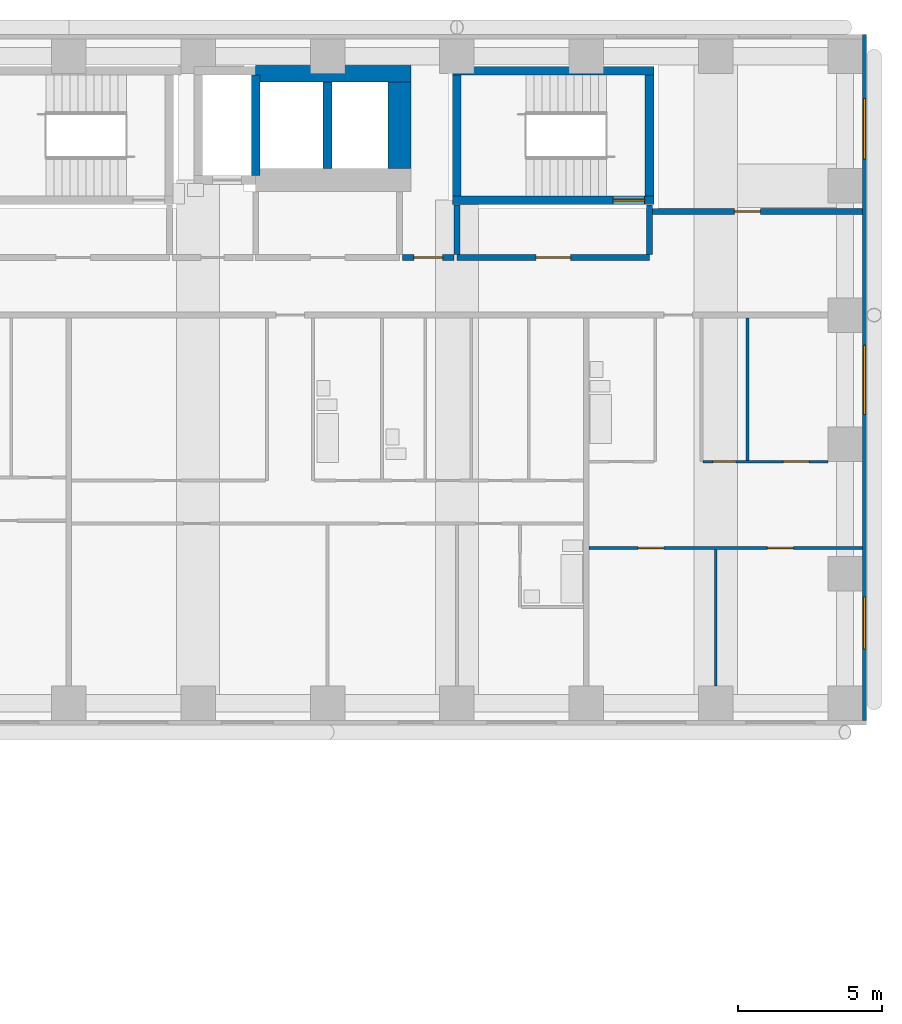
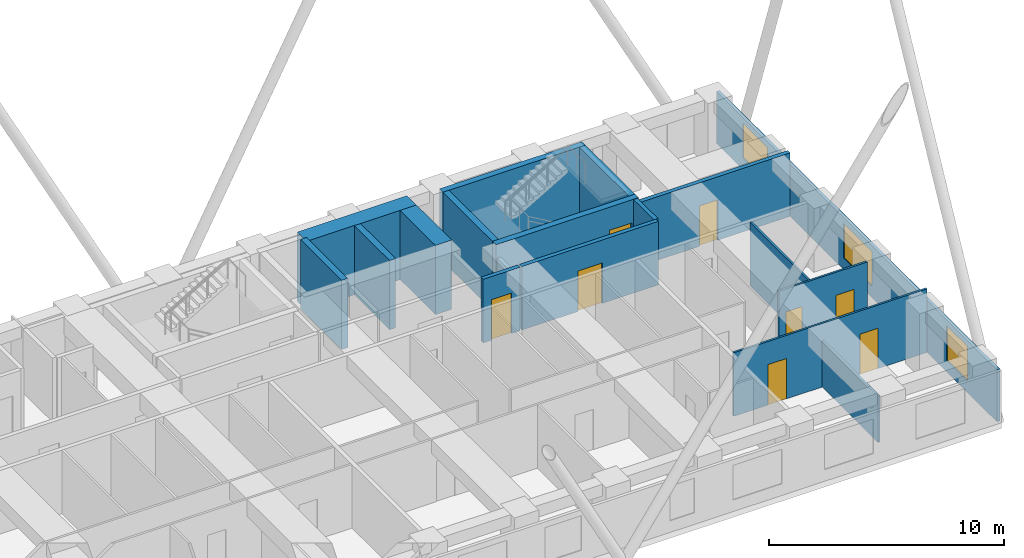
# One storey, part 9 of 12: 18 walls, 8 doors, 3 windows, 11 openings.
"""IFC4 building model written with IfcOpenShell, lengths in metres."""

from ifc_helpers import new_model, si_unit, direction, frame, frame_2d, origin, place, context, subcontext, project, spatial, rectangle, extrude, material, layer, layer_set, type_object, element, fill, save


model = new_model("IFC4")

# Units and contexts
model_context = context("Model", 3, precision=1e-05, world=origin(), true_north=direction((0.0, 1.0)))
body_context = subcontext(model_context, "Body", "Model", "MODEL_VIEW")
ifc_project = project(units=[si_unit("LENGTHUNIT", "METRE"), si_unit("AREAUNIT", "SQUARE_METRE"), si_unit("VOLUMEUNIT", "CUBIC_METRE"), si_unit("PLANEANGLEUNIT", "RADIAN"), si_unit("MASSUNIT", "GRAM", prefix="KILO")], contexts=[model_context])

# Site, building, storey
site_placement = place(None, origin())
site = spatial("IfcSite", under=ifc_project, at=site_placement, CompositionType="ELEMENT")
building_placement = place(site_placement, origin())
building = spatial("IfcBuilding", under=site, at=building_placement, Name="Firuza Court", CompositionType="ELEMENT")
storey_placement = place(building_placement, frame((0.0, 0.0, 93.800048828125)))
storey = spatial("IfcBuildingStorey", under=building, at=storey_placement, Name="L23", CompositionType="ELEMENT", Elevation=93.800048828125)

# Walls
ifc_material_1 = material(Name="Concrete C60/75", Category="concrete")
ifc_layer_1 = layer(ifc_material_1, 0.300048828125)
ifc_layer_set_1 = layer_set([ifc_layer_1], Name="Concrete C60/75")
wall_type_1 = type_object("IfcWallType", Name="Core wall 300 C60/75", PredefinedType="SHEAR", material=ifc_layer_set_1)
wall_1_placement = place(storey_placement, frame((47.0, 54.35009765625, -0.300048828125), z_axis=(0.0, 0.0, 1.0), x_axis=(0.0, 1.0, 0.0)))
element("IfcWall", 1, at=wall_1_placement, inside=storey, type_object=wall_type_1, Name="Core wall lift shaft L23", PredefinedType="SHEAR", context=body_context, shape_type="SweptSolid", body=[
    extrude(rectangle(XDim=3.5, YDim=0.300048828125, at=frame_2d((1.75, 0.0))), origin(), (0.0, 0.0, 1.0), 3.60009765625),
])
wall_2_placement = place(storey_placement, frame((49.5, 54.60009765625, -0.300048828125), z_axis=(0.0, 0.0, 1.0), x_axis=(0.0, 1.0, 0.0)))
element("IfcWall", 2, at=wall_2_placement, inside=storey, type_object=wall_type_1, Name="Core wall lift shaft L23", PredefinedType="SHEAR", context=body_context, shape_type="SweptSolid", body=[
    extrude(rectangle(XDim=3.0, YDim=0.300048828125, at=frame_2d((1.5, 0.0))), origin(), (0.0, 0.0, 1.0), 3.60009765625),
])

# Wall, opening, door
wall_3_placement = place(storey_placement, frame((53.85009765625, 53.5, -0.300048828125), z_axis=(0.0, 0.0, 1.0), x_axis=(1.0, 0.0, 0.0)))
wall_3 = element("IfcWall", 3, at=wall_3_placement, inside=storey, type_object=wall_type_1, Name="Core wall stair L23", PredefinedType="SHEAR", context=body_context, shape_type="SweptSolid", body=[
    extrude(rectangle(XDim=7.0, YDim=0.300048828125, at=frame_2d((3.5, 0.0))), origin(), (0.0, 0.0, 1.0), 3.60009765625),
])
opening_1_placement = place(wall_3_placement, frame((5.580078125, 0.0, 0.300048828125)))
opening_1 = element("IfcOpeningElement", 4, at=opening_1_placement, cuts=wall_3, Name="Opening D23017", PredefinedType="OPENING", context=body_context, shape_type="SweptSolid", body=[
    extrude(rectangle(XDim=1.10009765625, YDim=2.10009765625, at=frame_2d((0.550048828125, 1.050048828125))), frame((0.0, 0.162109375, 0.0), z_axis=(0.0, -1.0, 0.0), x_axis=(1.0, 0.0, 0.0)), (0.0, 0.0, 1.0), 0.323974609375),
])
ifc_material_2 = material(Name="Timber door leaf in hardwood frame", Category="wood")
door_type_1 = type_object("IfcDoorType", Name="Stair door 1100", OperationType="SINGLE_SWING_LEFT", PredefinedType="DOOR", material=ifc_material_2)
door_1_placement = place(opening_1_placement, origin())
door_1 = element("IfcDoor", 5, at=door_1_placement, inside=storey, type_object=door_type_1, Name="Stair door S4", OperationType="SINGLE_SWING_RIGHT", OverallHeight=2.10009765625, OverallWidth=1.10009765625, PredefinedType="DOOR", context=body_context, shape_type="SweptSolid", body=[
    extrude(rectangle(XDim=1.10009765625, YDim=2.10009765625, at=frame_2d((0.550048828125, 1.050048828125))), frame((0.0, 0.02490234375, 0.0), z_axis=(0.0, -1.0, 0.0), x_axis=(1.0, 0.0, 0.0)), (0.0, 0.0, 1.0), 0.050048828125),
])
fill(opening_1, door_1)

# Walls
wall_4_placement = place(storey_placement, frame((53.85009765625, 58.0, -0.300048828125), z_axis=(0.0, 0.0, 1.0), x_axis=(1.0, 0.0, 0.0)))
element("IfcWall", 6, at=wall_4_placement, inside=storey, type_object=wall_type_1, Name="Core wall stair L23", PredefinedType="SHEAR", context=body_context, shape_type="SweptSolid", body=[
    extrude(rectangle(XDim=7.0, YDim=0.300048828125, at=frame_2d((3.5, 0.0))), origin(), (0.0, 0.0, 1.0), 3.60009765625),
])
for number, where, z_axis, x_axis, name in (
    (7, (54.0, 53.64990234375, -0.300048828125), (0.0, 0.0, 1.0), (0.0, 1.0, 0.0), "Core wall stair L23"),
    (8, (60.699951171875, 53.64990234375, -0.300048828125), (0.0, 0.0, 1.0), (0.0, 1.0, 0.0), "Core wall stair L23"),
):
    element("IfcWall", number, at=place(storey_placement, frame(where, z_axis=z_axis, x_axis=x_axis)), inside=storey, type_object=wall_type_1, Name=name, PredefinedType="SHEAR", context=body_context, shape_type="SweptSolid", body=[
        extrude(rectangle(XDim=4.2001953125, YDim=0.300048828125, at=frame_2d((2.10009765625, 0.0))), origin(), (0.0, 0.0, 1.0), 3.60009765625),
    ])
ifc_layer_2 = layer(ifc_material_1, 0.800048828125)
ifc_layer_set_2 = layer_set([ifc_layer_2], Name="Concrete C60/75")
wall_type_2 = type_object("IfcWallType", Name="Core wall 800 C60/75", PredefinedType="SHEAR", material=ifc_layer_set_2)
wall_5_placement = place(storey_placement, frame((47.0, 58.0, -0.300048828125), z_axis=(0.0, 0.0, 1.0), x_axis=(1.0, 0.0, 0.0)))
element("IfcWall", 9, at=wall_5_placement, inside=storey, type_object=wall_type_2, Name="Core wall lift shaft L23", PredefinedType="SHEAR", context=body_context, shape_type="SweptSolid", body=[
    extrude(rectangle(XDim=5.39990234375, YDim=0.800048828125, at=frame_2d((2.699951171875, 0.0))), origin(), (0.0, 0.0, 1.0), 3.60009765625),
])
wall_6_placement = place(storey_placement, frame((52.0, 54.60009765625, -0.300048828125), z_axis=(0.0, 0.0, 1.0), x_axis=(0.0, 1.0, 0.0)))
element("IfcWall", 10, at=wall_6_placement, inside=storey, type_object=wall_type_2, Name="Core wall lift shaft L23", PredefinedType="SHEAR", context=body_context, shape_type="SweptSolid", body=[
    extrude(rectangle(XDim=3.0, YDim=0.800048828125, at=frame_2d((1.5, 0.0))), origin(), (0.0, 0.0, 1.0), 3.60009765625),
])

# Wall, opening, door
ifc_material_3 = material(Name="Blockwork, plastered both sides", Category="masonry")
ifc_layer_3 = layer(ifc_material_3, 0.199951171875)
ifc_layer_set_3 = layer_set([ifc_layer_3], Name="Blockwork, plastered both sides")
wall_type_3 = type_object("IfcWallType", Name="Corridor wall 200", PredefinedType="PARTITIONING", material=ifc_layer_set_3)
wall_7_placement = place(storey_placement, frame((52.10009765625, 51.5, 0.0), z_axis=(0.0, 0.0, 1.0), x_axis=(1.0, 0.0, 0.0)))
wall_7 = element("IfcWall", 11, at=wall_7_placement, inside=storey, type_object=wall_type_3, Name="Corridor wall 200 L23", PredefinedType="PARTITIONING", context=body_context, shape_type="SweptSolid", body=[
    extrude(rectangle(XDim=1.7998046875, YDim=0.199951171875, at=frame_2d((0.89990234375, 0.0))), origin(), (0.0, 0.0, 1.0), 3.300048828125),
])
opening_2_placement = place(wall_7_placement, frame((0.39990234375, 0.0, 0.0)))
opening_2 = element("IfcOpeningElement", 12, at=opening_2_placement, cuts=wall_7, Name="Opening D23074", PredefinedType="OPENING", context=body_context, shape_type="SweptSolid", body=[
    extrude(rectangle(XDim=1.0, YDim=2.10009765625, at=frame_2d((0.5, 1.050048828125))), frame((0.0, 0.11181640625, 0.0), z_axis=(0.0, -1.0, 0.0), x_axis=(1.0, 0.0, 0.0)), (0.0, 0.0, 1.0), 0.223876953125),
])
ifc_material_4 = material(Name="Timber door leaf in hardwood frame", Category="wood")
door_type_2 = type_object("IfcDoorType", Name="Store door 1000", OperationType="SINGLE_SWING_LEFT", PredefinedType="DOOR", material=ifc_material_4)
door_2_placement = place(opening_2_placement, origin())
door_2 = element("IfcDoor", 13, at=door_2_placement, inside=storey, type_object=door_type_2, Name="Cleaner's store door", OperationType="SINGLE_SWING_LEFT", OverallHeight=2.10009765625, OverallWidth=1.0, PredefinedType="DOOR", context=body_context, shape_type="SweptSolid", body=[
    extrude(rectangle(XDim=1.0, YDim=2.10009765625, at=frame_2d((0.5, 1.050048828125))), frame((0.0, 0.02490234375, 0.0), z_axis=(0.0, -1.0, 0.0), x_axis=(1.0, 0.0, 0.0)), (0.0, 0.0, 1.0), 0.050048828125),
])
fill(opening_2, door_2)

wall_8_placement = place(storey_placement, frame((60.800048828125, 53.10009765625, 0.0), z_axis=(0.0, 0.0, 1.0), x_axis=(1.0, 0.0, 0.0)))
wall_8 = element("IfcWall", 14, at=wall_8_placement, inside=storey, type_object=wall_type_3, Name="Corridor wall 200 L23", PredefinedType="PARTITIONING", context=body_context, shape_type="SweptSolid", body=[
    extrude(rectangle(XDim=7.300048828125, YDim=0.199951171875, at=frame_2d((3.64990234375, 0.0))), origin(), (0.0, 0.0, 1.0), 3.300048828125),
])
opening_3_placement = place(wall_8_placement, frame((2.85009765625, 0.0, 0.0)))
opening_3 = element("IfcOpeningElement", 15, at=opening_3_placement, cuts=wall_8, Name="Opening D23075", PredefinedType="OPENING", context=body_context, shape_type="SweptSolid", body=[
    extrude(rectangle(XDim=0.89990234375, YDim=2.10009765625, at=frame_2d((0.449951171875, 1.050048828125))), frame((0.0, 0.11181640625, 0.0), z_axis=(0.0, -1.0, 0.0), x_axis=(1.0, 0.0, 0.0)), (0.0, 0.0, 1.0), 0.223876953125),
])
ifc_material_5 = material(Name="Timber door leaf in hardwood frame", Category="wood")
door_type_3 = type_object("IfcDoorType", Name="Room door 900 EI 30", OperationType="SINGLE_SWING_LEFT", PredefinedType="DOOR", material=ifc_material_5)
door_3_placement = place(opening_3_placement, origin())
door_3 = element("IfcDoor", 16, at=door_3_placement, inside=storey, type_object=door_type_3, Name="Meeting room door", OperationType="SINGLE_SWING_LEFT", OverallHeight=2.10009765625, OverallWidth=0.89990234375, PredefinedType="DOOR", context=body_context, shape_type="SweptSolid", body=[
    extrude(rectangle(XDim=0.89990234375, YDim=2.10009765625, at=frame_2d((0.449951171875, 1.050048828125))), frame((0.0, 0.02490234375, 0.0), z_axis=(0.0, -1.0, 0.0), x_axis=(1.0, 0.0, 0.0)), (0.0, 0.0, 1.0), 0.050048828125),
])
fill(opening_3, door_3)

# Wall
ifc_material_6 = material(Name="Timber stud partition, plasterboard both sides", Category="wood")
ifc_layer_4 = layer(ifc_material_6, 0.10009765625)
ifc_layer_set_4 = layer_set([ifc_layer_4], Name="Timber stud partition, plasterboard both sides")
wall_type_4 = type_object("IfcWallType", Name="Partition wall 100", PredefinedType="PARTITIONING", material=ifc_layer_set_4)
wall_9_placement = place(storey_placement, frame((63.0, 36.60009765625, 0.0), z_axis=(0.0, 0.0, 1.0), x_axis=(0.0, 1.0, 0.0)))
element("IfcWall", 17, at=wall_9_placement, inside=storey, type_object=wall_type_4, Name="Partition wall 100 L23", PredefinedType="PARTITIONING", context=body_context, shape_type="SweptSolid", body=[
    extrude(rectangle(XDim=4.75, YDim=0.10009765625, at=frame_2d((2.375, 0.0))), origin(), (0.0, 0.0, 1.0), 2.39990234375),
])

# Wall, openings, doors
wall_10_placement = place(storey_placement, frame((58.60009765625, 41.39990234375, 0.0), z_axis=(0.0, 0.0, 1.0), x_axis=(1.0, 0.0, 0.0)))
wall_10 = element("IfcWall", 18, at=wall_10_placement, inside=storey, type_object=wall_type_4, Name="Partition wall 100 L23", PredefinedType="PARTITIONING", context=body_context, shape_type="SweptSolid", body=[
    extrude(rectangle(XDim=9.5, YDim=0.10009765625, at=frame_2d((4.75, 0.0))), origin(), (0.0, 0.0, 1.0), 3.300048828125),
])
opening_4_placement = place(wall_10_placement, frame((1.699951171875, 0.0, 0.0)))
opening_4 = element("IfcOpeningElement", 19, at=opening_4_placement, cuts=wall_10, Name="Opening D23042", PredefinedType="OPENING", context=body_context, shape_type="SweptSolid", body=[
    extrude(rectangle(XDim=0.89990234375, YDim=2.10009765625, at=frame_2d((0.449951171875, 1.050048828125))), frame((0.0, 0.06201171875, 0.0), z_axis=(0.0, -1.0, 0.0), x_axis=(1.0, 0.0, 0.0)), (0.0, 0.0, 1.0), 0.1240234375),
])
opening_5_placement = place(wall_10_placement, frame((6.199951171875, 0.0, 0.0)))
opening_5 = element("IfcOpeningElement", 20, at=opening_5_placement, cuts=wall_10, Name="Opening D23043", PredefinedType="OPENING", context=body_context, shape_type="SweptSolid", body=[
    extrude(rectangle(XDim=0.89990234375, YDim=2.10009765625, at=frame_2d((0.449951171875, 1.050048828125))), frame((0.0, 0.06201171875, 0.0), z_axis=(0.0, -1.0, 0.0), x_axis=(1.0, 0.0, 0.0)), (0.0, 0.0, 1.0), 0.1240234375),
])
ifc_material_7 = material(Name="Timber door leaf in hardwood frame", Category="wood")
door_type_4 = type_object("IfcDoorType", Name="Room door 900", OperationType="SINGLE_SWING_LEFT", PredefinedType="DOOR", material=ifc_material_7)
door_4_placement = place(opening_4_placement, frame((0.89990234375, 0.0, 0.0), z_axis=(0.0, 0.0, 1.0), x_axis=(-1.0, 0.0, 0.0)))
door_4 = element("IfcDoor", 21, at=door_4_placement, inside=storey, type_object=door_type_4, Name="Bedroom door", OperationType="SINGLE_SWING_RIGHT", OverallHeight=2.10009765625, OverallWidth=0.89990234375, PredefinedType="DOOR", context=body_context, shape_type="SweptSolid", body=[
    extrude(rectangle(XDim=0.89990234375, YDim=2.10009765625, at=frame_2d((0.449951171875, 1.050048828125))), frame((0.0, 0.02490234375, 0.0), z_axis=(0.0, -1.0, 0.0), x_axis=(1.0, 0.0, 0.0)), (0.0, 0.0, 1.0), 0.050048828125),
])
fill(opening_4, door_4)
door_5_placement = place(opening_5_placement, frame((0.89990234375, 0.0, 0.0), z_axis=(0.0, 0.0, 1.0), x_axis=(-1.0, 0.0, 0.0)))
door_5 = element("IfcDoor", 22, at=door_5_placement, inside=storey, type_object=door_type_4, Name="Living room door", OperationType="SINGLE_SWING_RIGHT", OverallHeight=2.10009765625, OverallWidth=0.89990234375, PredefinedType="DOOR", context=body_context, shape_type="SweptSolid", body=[
    extrude(rectangle(XDim=0.89990234375, YDim=2.10009765625, at=frame_2d((0.449951171875, 1.050048828125))), frame((0.0, 0.02490234375, 0.0), z_axis=(0.0, -1.0, 0.0), x_axis=(1.0, 0.0, 0.0)), (0.0, 0.0, 1.0), 0.050048828125),
])
fill(opening_5, door_5)

wall_11_placement = place(storey_placement, frame((62.550048828125, 44.39990234375, 0.0), z_axis=(0.0, 0.0, 1.0), x_axis=(1.0, 0.0, 0.0)))
wall_11 = element("IfcWall", 23, at=wall_11_placement, inside=storey, type_object=wall_type_4, Name="Partition wall 100 L23", PredefinedType="PARTITIONING", context=body_context, shape_type="SweptSolid", body=[
    extrude(rectangle(XDim=4.349853515625, YDim=0.10009765625, at=frame_2d((2.1748046875, 0.0))), origin(), (0.0, 0.0, 1.0), 3.300048828125),
])
opening_6_placement = place(wall_11_placement, frame((2.800048828125, 0.0, 0.0)))
opening_6 = element("IfcOpeningElement", 24, at=opening_6_placement, cuts=wall_11, Name="Opening D23064", PredefinedType="OPENING", context=body_context, shape_type="SweptSolid", body=[
    extrude(rectangle(XDim=0.89990234375, YDim=2.10009765625, at=frame_2d((0.449951171875, 1.050048828125))), frame((0.0, 0.06201171875, 0.0), z_axis=(0.0, -1.0, 0.0), x_axis=(1.0, 0.0, 0.0)), (0.0, 0.0, 1.0), 0.1240234375),
])
opening_7_placement = place(wall_11_placement, frame((0.35009765625, 0.0, 0.0)))
opening_7 = element("IfcOpeningElement", 25, at=opening_7_placement, cuts=wall_11, Name="Opening D23065", PredefinedType="OPENING", context=body_context, shape_type="SweptSolid", body=[
    extrude(rectangle(XDim=0.800048828125, YDim=2.10009765625, at=frame_2d((0.39990234375, 1.050048828125))), frame((0.0, 0.06201171875, 0.0), z_axis=(0.0, -1.0, 0.0), x_axis=(1.0, 0.0, 0.0)), (0.0, 0.0, 1.0), 0.1240234375),
])
ifc_material_8 = material(Name="Timber door leaf in hardwood frame", Category="wood")
door_type_5 = type_object("IfcDoorType", Name="Room door 800", OperationType="SINGLE_SWING_LEFT", PredefinedType="DOOR", material=ifc_material_8)
door_6_placement = place(opening_7_placement, origin())
door_6 = element("IfcDoor", 26, at=door_6_placement, inside=storey, type_object=door_type_5, Name="Store door", OperationType="SINGLE_SWING_LEFT", OverallHeight=2.10009765625, OverallWidth=0.800048828125, PredefinedType="DOOR", context=body_context, shape_type="SweptSolid", body=[
    extrude(rectangle(XDim=0.800048828125, YDim=2.10009765625, at=frame_2d((0.39990234375, 1.050048828125))), frame((0.0, 0.02490234375, 0.0), z_axis=(0.0, -1.0, 0.0), x_axis=(1.0, 0.0, 0.0)), (0.0, 0.0, 1.0), 0.050048828125),
])
fill(opening_7, door_6)
door_7_placement = place(opening_6_placement, origin())
door_7 = element("IfcDoor", 27, at=door_7_placement, inside=storey, type_object=door_type_4, Name="Kitchen door", OperationType="SINGLE_SWING_RIGHT", OverallHeight=2.10009765625, OverallWidth=0.89990234375, PredefinedType="DOOR", context=body_context, shape_type="SweptSolid", body=[
    extrude(rectangle(XDim=0.89990234375, YDim=2.10009765625, at=frame_2d((0.449951171875, 1.050048828125))), frame((0.0, 0.02490234375, 0.0), z_axis=(0.0, -1.0, 0.0), x_axis=(1.0, 0.0, 0.0)), (0.0, 0.0, 1.0), 0.050048828125),
])
fill(opening_6, door_7)

# Wall
wall_12_placement = place(storey_placement, frame((64.10009765625, 44.449951171875, 0.0), z_axis=(0.0, 0.0, 1.0), x_axis=(0.0, 1.0, 0.0)))
element("IfcWall", 28, at=wall_12_placement, inside=storey, type_object=wall_type_4, Name="Partition wall 100 L23", PredefinedType="PARTITIONING", context=body_context, shape_type="SweptSolid", body=[
    extrude(rectangle(XDim=4.949951171875, YDim=0.10009765625, at=frame_2d((2.47509765625, 0.0))), origin(), (0.0, 0.0, 1.0), 3.300048828125),
])

# Wall, openings, windows
ifc_material_9 = material(Name="Ceramic tile", Category="ceramic")
ifc_layer_5 = layer(ifc_material_9, 0.02001953125)
ifc_material_10 = material(Name="Mineral wool insulation", Category="insulation")
ifc_layer_6 = layer(ifc_material_10, 0.050048828125)
ifc_material_11 = material(Name="Concrete C40/50 precast", Category="concrete")
ifc_layer_7 = layer(ifc_material_11, 0.080078125)
ifc_layer_set_5 = layer_set([ifc_layer_5, ifc_layer_6, ifc_layer_7], Name="Concrete C40/50 precast")
wall_type_5 = type_object("IfcWallType", Name="Precast cladding wall with turquoise TILE PANEL face 150", PredefinedType="STANDARD", material=ifc_layer_set_5)
wall_13_placement = place(storey_placement, frame((68.175048828125, 35.39990234375, 0.0), z_axis=(0.0, 0.0, 1.0), x_axis=(0.0, 1.0, 0.0)))
wall_13 = element("IfcWall", 29, at=wall_13_placement, inside=storey, type_object=wall_type_5, Name="Facade wall L23 E", PredefinedType="STANDARD", context=body_context, shape_type="SweptSolid", body=[
    extrude(rectangle(XDim=23.85009765625, YDim=0.14990234375, at=frame_2d((11.925048828125, 0.0))), origin(), (0.0, 0.0, 1.0), 2.699951171875),
])
opening_8_placement = place(wall_13_placement, frame((2.489990234375, 0.0, 0.60009765625)))
opening_8 = element("IfcOpeningElement", 30, at=opening_8_placement, cuts=wall_13, Name="Opening W7", PredefinedType="OPENING", context=body_context, shape_type="SweptSolid", body=[
    extrude(rectangle(XDim=1.800048828125, YDim=1.800048828125, at=frame_2d((0.89990234375, 0.89990234375))), frame((0.0, 0.0869140625, 0.0), z_axis=(0.0, -1.0, 0.0), x_axis=(1.0, 0.0, 0.0)), (0.0, 0.0, 1.0), 0.173828125),
])
opening_9_placement = place(wall_13_placement, frame((10.64990234375, 0.0, 0.60009765625)))
opening_9 = element("IfcOpeningElement", 31, at=opening_9_placement, cuts=wall_13, Name="Opening W1", PredefinedType="OPENING", context=body_context, shape_type="SweptSolid", body=[
    extrude(rectangle(XDim=2.39990234375, YDim=1.800048828125, at=frame_2d((1.199951171875, 0.89990234375))), frame((0.0, 0.0869140625, 0.0), z_axis=(0.0, -1.0, 0.0), x_axis=(1.0, 0.0, 0.0)), (0.0, 0.0, 1.0), 0.173828125),
])
opening_10_placement = place(wall_13_placement, frame((19.52587890625, 0.0, 0.60009765625)))
opening_10 = element("IfcOpeningElement", 32, at=opening_10_placement, cuts=wall_13, Name="Opening W6", PredefinedType="OPENING", context=body_context, shape_type="SweptSolid", body=[
    extrude(rectangle(XDim=2.10009765625, YDim=1.800048828125, at=frame_2d((1.050048828125, 0.89990234375))), frame((0.0, 0.0869140625, 0.0), z_axis=(0.0, -1.0, 0.0), x_axis=(1.0, 0.0, 0.0)), (0.0, 0.0, 1.0), 0.173828125),
])
ifc_material_12 = material(Name="Aluminium frame, triple clear glazing", Category="aluminium")
window_type_1 = type_object("IfcWindowType", Name="Window W1 2400 x 1800", PartitioningType="SINGLE_PANEL", PredefinedType="WINDOW", material=ifc_material_12)
window_1_placement = place(opening_9_placement, origin())
window_1 = element("IfcWindow", 33, at=window_1_placement, inside=storey, type_object=window_type_1, Name="Window L23", OverallHeight=1.800048828125, OverallWidth=2.39990234375, PartitioningType="SINGLE_PANEL", PredefinedType="WINDOW", context=body_context, shape_type="SweptSolid", body=[
    extrude(rectangle(XDim=2.39990234375, YDim=1.800048828125, at=frame_2d((1.199951171875, 0.89990234375))), frame((0.0, 0.030029296875, 0.0), z_axis=(0.0, -1.0, 0.0), x_axis=(1.0, 0.0, 0.0)), (0.0, 0.0, 1.0), 0.06005859375),
])
fill(opening_9, window_1)
ifc_material_13 = material(Name="Aluminium frame, triple clear glazing", Category="aluminium")
window_type_2 = type_object("IfcWindowType", Name="Window W6 2100 x 1800", PartitioningType="SINGLE_PANEL", PredefinedType="WINDOW", material=ifc_material_13)
window_2_placement = place(opening_10_placement, origin())
window_2 = element("IfcWindow", 34, at=window_2_placement, inside=storey, type_object=window_type_2, Name="Window L23", OverallHeight=1.800048828125, OverallWidth=2.10009765625, PartitioningType="SINGLE_PANEL", PredefinedType="WINDOW", context=body_context, shape_type="SweptSolid", body=[
    extrude(rectangle(XDim=2.10009765625, YDim=1.800048828125, at=frame_2d((1.050048828125, 0.89990234375))), frame((0.0, 0.030029296875, 0.0), z_axis=(0.0, -1.0, 0.0), x_axis=(1.0, 0.0, 0.0)), (0.0, 0.0, 1.0), 0.06005859375),
])
fill(opening_10, window_2)
ifc_material_14 = material(Name="Aluminium frame, triple clear glazing", Category="aluminium")
window_type_3 = type_object("IfcWindowType", Name="Window W7 1800 x 1800", PartitioningType="SINGLE_PANEL", PredefinedType="WINDOW", material=ifc_material_14)
window_3_placement = place(opening_8_placement, origin())
window_3 = element("IfcWindow", 35, at=window_3_placement, inside=storey, type_object=window_type_3, Name="Window L23", OverallHeight=1.800048828125, OverallWidth=1.800048828125, PartitioningType="SINGLE_PANEL", PredefinedType="WINDOW", context=body_context, shape_type="SweptSolid", body=[
    extrude(rectangle(XDim=1.800048828125, YDim=1.800048828125, at=frame_2d((0.89990234375, 0.89990234375))), frame((0.0, 0.030029296875, 0.0), z_axis=(0.0, -1.0, 0.0), x_axis=(1.0, 0.0, 0.0)), (0.0, 0.0, 1.0), 0.06005859375),
])
fill(opening_8, window_3)

# Wall, opening, door
ifc_material_15 = material(Name="Blockwork, fire-rated", Category="masonry")
ifc_layer_8 = layer(ifc_material_15, 0.199951171875)
ifc_layer_set_6 = layer_set([ifc_layer_8], Name="Blockwork, fire-rated")
wall_type_6 = type_object("IfcWallType", Name="Shaft wall 200", PredefinedType="PARTITIONING", material=ifc_layer_set_6)
wall_14_placement = place(storey_placement, frame((54.0, 51.5, 0.0), z_axis=(0.0, 0.0, 1.0), x_axis=(1.0, 0.0, 0.0)))
wall_14 = element("IfcWall", 36, at=wall_14_placement, inside=storey, type_object=wall_type_6, Name="Shaft wall 200 L23", PredefinedType="PARTITIONING", context=body_context, shape_type="SweptSolid", body=[
    extrude(rectangle(XDim=6.699951171875, YDim=0.199951171875, at=frame_2d((3.35009765625, 0.0))), origin(), (0.0, 0.0, 1.0), 3.300048828125),
])
opening_11_placement = place(wall_14_placement, frame((2.75, 0.0, 0.0)))
opening_11 = element("IfcOpeningElement", 37, at=opening_11_placement, cuts=wall_14, Name="Opening D23007", PredefinedType="OPENING", context=body_context, shape_type="SweptSolid", body=[
    extrude(rectangle(XDim=1.199951171875, YDim=2.10009765625, at=frame_2d((0.60009765625, 1.050048828125))), frame((0.0, 0.11181640625, 0.0), z_axis=(0.0, -1.0, 0.0), x_axis=(1.0, 0.0, 0.0)), (0.0, 0.0, 1.0), 0.223876953125),
])
ifc_material_16 = material(Name="Timber door leaf in hardwood frame", Category="wood")
door_type_6 = type_object("IfcDoorType", Name="Lobby door 1200", OperationType="SINGLE_SWING_LEFT", PredefinedType="DOOR", material=ifc_material_16)
door_8_placement = place(opening_11_placement, origin())
door_8 = element("IfcDoor", 38, at=door_8_placement, inside=storey, type_object=door_type_6, Name="Lobby door", OperationType="SINGLE_SWING_LEFT", OverallHeight=2.10009765625, OverallWidth=1.199951171875, PredefinedType="DOOR", context=body_context, shape_type="SweptSolid", body=[
    extrude(rectangle(XDim=1.199951171875, YDim=2.10009765625, at=frame_2d((0.60009765625, 1.050048828125))), frame((0.0, 0.02490234375, 0.0), z_axis=(0.0, -1.0, 0.0), x_axis=(1.0, 0.0, 0.0)), (0.0, 0.0, 1.0), 0.050048828125),
])
fill(opening_11, door_8)

# Walls
wall_15_placement = place(storey_placement, frame((60.699951171875, 51.60009765625, 0.0), z_axis=(0.0, 0.0, 1.0), x_axis=(0.0, 1.0, 0.0)))
element("IfcWall", 39, at=wall_15_placement, inside=storey, type_object=wall_type_6, Name="Shaft wall 200 L23", PredefinedType="PARTITIONING", context=body_context, shape_type="SweptSolid", body=[
    extrude(rectangle(XDim=1.72998046875, YDim=0.199951171875, at=frame_2d((0.864990234375, 0.0))), origin(), (0.0, 0.0, 1.0), 3.300048828125),
])
wall_16_placement = place(storey_placement, frame((54.0, 51.60009765625, 0.0), z_axis=(0.0, 0.0, 1.0), x_axis=(0.0, 1.0, 0.0)))
element("IfcWall", 40, at=wall_16_placement, inside=storey, type_object=wall_type_6, Name="Shaft wall 200 L23", PredefinedType="PARTITIONING", context=body_context, shape_type="SweptSolid", body=[
    extrude(rectangle(XDim=1.72998046875, YDim=0.199951171875, at=frame_2d((0.864990234375, 0.0))), origin(), (0.0, 0.0, 1.0), 2.599853515625),
])

save(model, "model.ifc")
